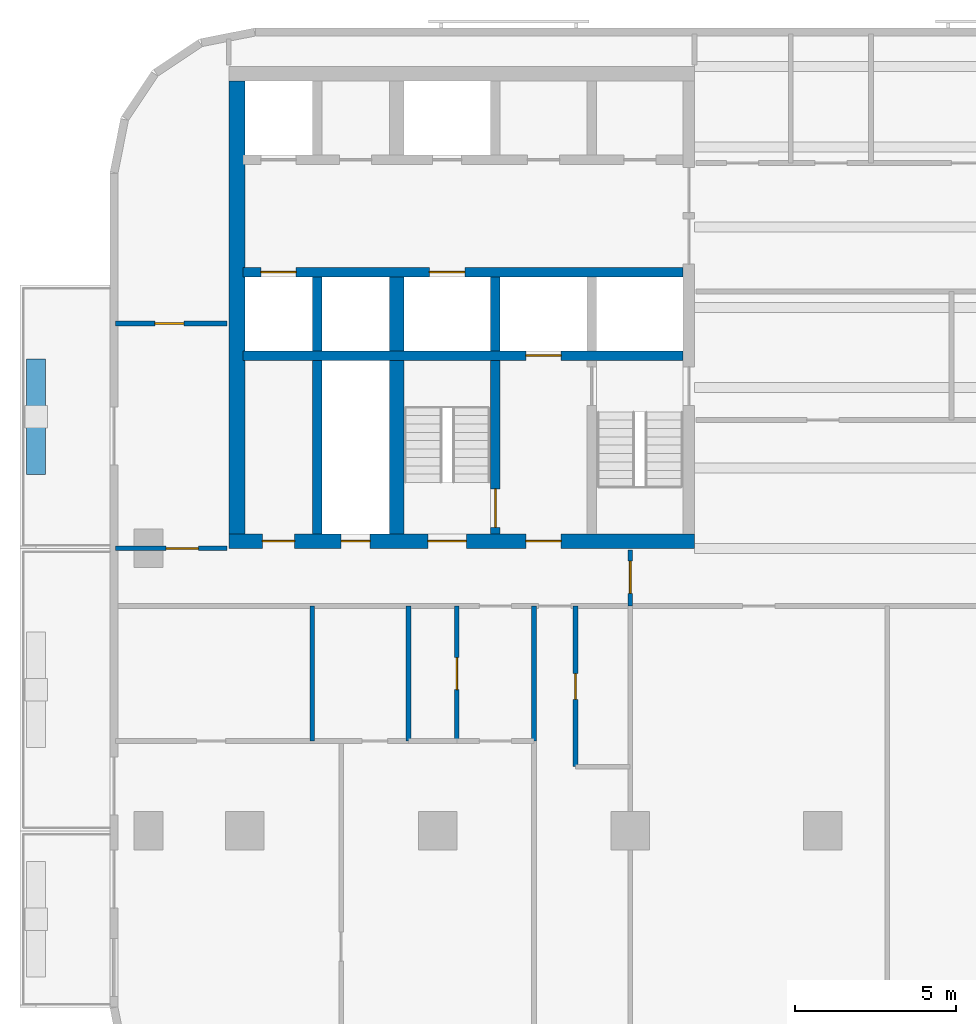
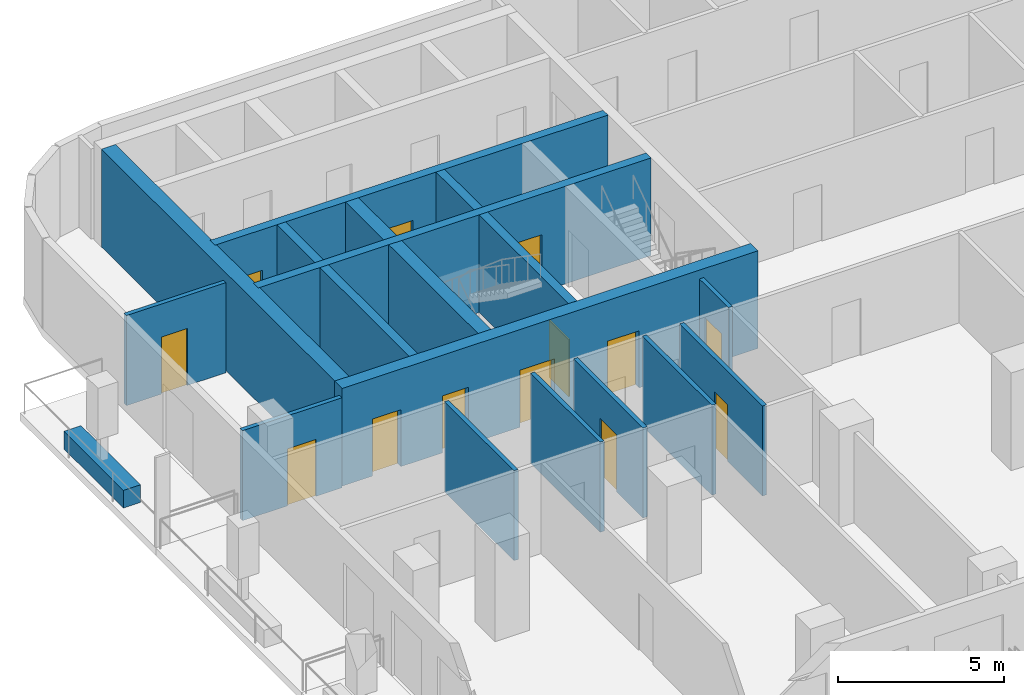
# One storey, part 3 of 11: 19 walls, 13 doors, 13 openings.
"""IFC4 building model written with IfcOpenShell, lengths in metres."""

from ifc_helpers import new_model, si_unit, direction, frame, frame_2d, origin, place, context, subcontext, project, spatial, rectangle, extrude, material, layer, layer_set, type_object, element, fill, save


model = new_model("IFC4")

# Units and contexts
model_context = context("Model", 3, precision=1e-05, world=origin(), true_north=direction((0.0, 1.0)))
body_context = subcontext(model_context, "Body", "Model", "MODEL_VIEW")
ifc_project = project(units=[si_unit("LENGTHUNIT", "METRE"), si_unit("AREAUNIT", "SQUARE_METRE"), si_unit("VOLUMEUNIT", "CUBIC_METRE"), si_unit("PLANEANGLEUNIT", "RADIAN"), si_unit("MASSUNIT", "GRAM", prefix="KILO")], contexts=[model_context])

# Site, building, storey
site_placement = place(None, origin())
site = spatial("IfcSite", under=ifc_project, at=site_placement, CompositionType="ELEMENT")
building_placement = place(site_placement, origin())
building = spatial("IfcBuilding", under=site, at=building_placement, Name="Torana Hotel and Residences", CompositionType="ELEMENT")
storey_placement = place(building_placement, frame((0.0, 0.0, 145.199951171875)))
storey = spatial("IfcBuildingStorey", under=building, at=storey_placement, Name="L37", CompositionType="ELEMENT", Elevation=145.199951171875)

# Wall, openings, doors
ifc_material_1 = material(Name="Concrete C70/85", Category="concrete")
ifc_layer_1 = layer(ifc_material_1, 0.300048828125)
ifc_layer_set_1 = layer_set([ifc_layer_1], Name="CORE WALL 300 C70/85")
wall_type_1 = type_object("IfcWallType", Name="CORE WALL 300 C70/85", PredefinedType="SHEAR", material=ifc_layer_set_1)
wall_1_placement = place(storey_placement, frame((-24.050048828125, -6.39990234375, 0.0), z_axis=(0.0, 0.0, 1.0), x_axis=(1.0, 0.0, 0.0)))
wall_1 = element("IfcWall", 1, at=wall_1_placement, inside=storey, type_object=wall_type_1, Name="Core wall W row-S", PredefinedType="SHEAR", context=body_context, shape_type="SweptSolid", body=[
    extrude(rectangle(XDim=13.699951171875, YDim=0.300048828125, at=frame_2d((6.85009765625, 0.0))), origin(), (0.0, 0.0, 1.0), 3.60009765625),
])
opening_1_placement = place(wall_1_placement, frame((0.550048828125, 0.0, 0.0)))
opening_1 = element("IfcOpeningElement", 2, at=opening_1_placement, cuts=wall_1, Name="Opening LD", PredefinedType="OPENING", context=body_context, shape_type="SweptSolid", body=[
    extrude(rectangle(XDim=1.10009765625, YDim=2.10009765625, at=frame_2d((0.550048828125, 1.050048828125))), frame((0.0, 0.159912109375, 0.0), z_axis=(0.0, -1.0, 0.0), x_axis=(1.0, 0.0, 0.0)), (0.0, 0.0, 1.0), 0.320068359375),
])
opening_2_placement = place(wall_1_placement, frame((5.800048828125, 0.0, 0.0)))
opening_2 = element("IfcOpeningElement", 3, at=opening_2_placement, cuts=wall_1, Name="Opening LD", PredefinedType="OPENING", context=body_context, shape_type="SweptSolid", body=[
    extrude(rectangle(XDim=1.10009765625, YDim=2.10009765625, at=frame_2d((0.550048828125, 1.050048828125))), frame((0.0, 0.159912109375, 0.0), z_axis=(0.0, -1.0, 0.0), x_axis=(1.0, 0.0, 0.0)), (0.0, 0.0, 1.0), 0.320068359375),
])
ifc_material_2 = material(Name="Stainless steel 316", Category="steel")
door_type_1 = type_object("IfcDoorType", Name="LIFT LANDING DOOR LD 1100x2100", OperationType="DOUBLE_DOOR_SLIDING", PredefinedType="USERDEFINED", material=ifc_material_2)
door_1_placement = place(opening_1_placement, origin())
door_1 = element("IfcDoor", 4, at=door_1_placement, inside=storey, type_object=door_type_1, Name="Lift landing door M2 L37", ObjectType="LIFT LANDING DOOR", OperationType="DOUBLE_DOOR_SLIDING", OverallHeight=2.10009765625, OverallWidth=1.10009765625, PredefinedType="USERDEFINED", context=body_context, shape_type="SweptSolid", body=[
    extrude(rectangle(XDim=1.10009765625, YDim=2.10009765625, at=frame_2d((0.550048828125, 1.050048828125))), frame((0.0, 0.02490234375, 0.0), z_axis=(0.0, -1.0, 0.0), x_axis=(1.0, 0.0, 0.0)), (0.0, 0.0, 1.0), 0.050048828125),
])
fill(opening_1, door_1)
door_2_placement = place(opening_2_placement, origin())
door_2 = element("IfcDoor", 5, at=door_2_placement, inside=storey, type_object=door_type_1, Name="Lift landing door SV1 L37", ObjectType="LIFT LANDING DOOR", OperationType="DOUBLE_DOOR_SLIDING", OverallHeight=2.10009765625, OverallWidth=1.10009765625, PredefinedType="USERDEFINED", context=body_context, shape_type="SweptSolid", body=[
    extrude(rectangle(XDim=1.10009765625, YDim=2.10009765625, at=frame_2d((0.550048828125, 1.050048828125))), frame((0.0, 0.02490234375, 0.0), z_axis=(0.0, -1.0, 0.0), x_axis=(1.0, 0.0, 0.0)), (0.0, 0.0, 1.0), 0.050048828125),
])
fill(opening_2, door_2)

# Wall, opening, door
wall_2_placement = place(storey_placement, frame((-24.050048828125, -9.0, 0.0), z_axis=(0.0, 0.0, 1.0), x_axis=(1.0, 0.0, 0.0)))
wall_2 = element("IfcWall", 6, at=wall_2_placement, inside=storey, type_object=wall_type_1, Name="Core wall W band", PredefinedType="SHEAR", context=body_context, shape_type="SweptSolid", body=[
    extrude(rectangle(XDim=13.699951171875, YDim=0.300048828125, at=frame_2d((6.85009765625, 0.0))), origin(), (0.0, 0.0, 1.0), 3.60009765625),
])
opening_3_placement = place(wall_2_placement, frame((8.800048828125, 0.0, 0.0)))
opening_3 = element("IfcOpeningElement", 7, at=opening_3_placement, cuts=wall_2, Name="Opening LD", PredefinedType="OPENING", context=body_context, shape_type="SweptSolid", body=[
    extrude(rectangle(XDim=1.10009765625, YDim=2.10009765625, at=frame_2d((0.550048828125, 1.050048828125))), frame((0.0, 0.159912109375, 0.0), z_axis=(0.0, -1.0, 0.0), x_axis=(1.0, 0.0, 0.0)), (0.0, 0.0, 1.0), 0.320068359375),
])
door_3_placement = place(opening_3_placement, origin())
door_3 = element("IfcDoor", 8, at=door_3_placement, inside=storey, type_object=door_type_1, Name="Lift landing door FF1 L37", ObjectType="LIFT LANDING DOOR", OperationType="DOUBLE_DOOR_SLIDING", OverallHeight=2.10009765625, OverallWidth=1.10009765625, PredefinedType="USERDEFINED", context=body_context, shape_type="SweptSolid", body=[
    extrude(rectangle(XDim=1.10009765625, YDim=2.10009765625, at=frame_2d((0.550048828125, 1.050048828125))), frame((0.0, 0.02490234375, 0.0), z_axis=(0.0, -1.0, 0.0), x_axis=(1.0, 0.0, 0.0)), (0.0, 0.0, 1.0), 0.050048828125),
])
fill(opening_3, door_3)

# Wall
wall_3_placement = place(storey_placement, frame((-16.199951171875, -8.85009765625, 0.0), z_axis=(0.0, 0.0, 1.0), x_axis=(0.0, 1.0, 0.0)))
element("IfcWall", 9, at=wall_3_placement, inside=storey, type_object=wall_type_1, Name="Core wall W x6.05-S", PredefinedType="SHEAR", context=body_context, shape_type="SweptSolid", body=[
    extrude(rectangle(XDim=2.300048828125, YDim=0.300048828125, at=frame_2d((1.14990234375, 0.0))), origin(), (0.0, 0.0, 1.0), 3.60009765625),
])

# Wall, opening, door
wall_4_placement = place(storey_placement, frame((-16.199951171875, -14.550048828125, 0.0), z_axis=(0.0, 0.0, 1.0), x_axis=(0.0, 1.0, 0.0)))
wall_4 = element("IfcWall", 10, at=wall_4_placement, inside=storey, type_object=wall_type_1, Name="Core wall W x6.05-band", PredefinedType="SHEAR", context=body_context, shape_type="SweptSolid", body=[
    extrude(rectangle(XDim=5.400146484375, YDim=0.300048828125, at=frame_2d((2.7001953125, 0.0))), origin(), (0.0, 0.0, 1.0), 3.60009765625),
])
opening_4_placement = place(wall_4_placement, frame((0.199951171875, 0.0, 0.0)))
opening_4 = element("IfcOpeningElement", 11, at=opening_4_placement, cuts=wall_4, Name="Opening L37-13", PredefinedType="OPENING", context=body_context, shape_type="SweptSolid", body=[
    extrude(rectangle(XDim=1.199951171875, YDim=2.10009765625, at=frame_2d((0.60009765625, 1.050048828125))), frame((0.0, 0.159912109375, 0.0), z_axis=(0.0, -1.0, 0.0), x_axis=(1.0, 0.0, 0.0)), (0.0, 0.0, 1.0), 0.320068359375),
])
ifc_material_3 = material(Name="Steel S235", Category="steel")
door_type_2 = type_object("IfcDoorType", Name="STAIR FIRE DOOR D3 1200x2100", OperationType="SINGLE_SWING_LEFT", PredefinedType="DOOR", material=ifc_material_3)
door_4_placement = place(opening_4_placement, origin())
door_4 = element("IfcDoor", 12, at=door_4_placement, inside=storey, type_object=door_type_2, Name="Stair-B-lobby door L37", OperationType="SINGLE_SWING_RIGHT", OverallHeight=2.10009765625, OverallWidth=1.199951171875, PredefinedType="DOOR", context=body_context, shape_type="SweptSolid", body=[
    extrude(rectangle(XDim=1.199951171875, YDim=2.10009765625, at=frame_2d((0.60009765625, 1.050048828125))), frame((0.0, 0.02490234375, 0.0), z_axis=(0.0, -1.0, 0.0), x_axis=(1.0, 0.0, 0.0)), (0.0, 0.0, 1.0), 0.050048828125),
])
fill(opening_4, door_4)

# Walls
wall_5_placement = place(storey_placement, frame((-21.75, -8.85009765625, 0.0), z_axis=(0.0, 0.0, 1.0), x_axis=(0.0, 1.0, 0.0)))
element("IfcWall", 13, at=wall_5_placement, inside=storey, type_object=wall_type_1, Name="Core wall W mm-S", PredefinedType="SHEAR", context=body_context, shape_type="SweptSolid", body=[
    extrude(rectangle(XDim=2.300048828125, YDim=0.300048828125, at=frame_2d((1.14990234375, 0.0))), origin(), (0.0, 0.0, 1.0), 3.60009765625),
])
wall_6_placement = place(storey_placement, frame((-21.75, -14.550048828125, 0.0), z_axis=(0.0, 0.0, 1.0), x_axis=(0.0, 1.0, 0.0)))
element("IfcWall", 14, at=wall_6_placement, inside=storey, type_object=wall_type_1, Name="Core wall W mm-band", PredefinedType="SHEAR", context=body_context, shape_type="SweptSolid", body=[
    extrude(rectangle(XDim=5.400146484375, YDim=0.300048828125, at=frame_2d((2.7001953125, 0.0))), origin(), (0.0, 0.0, 1.0), 3.60009765625),
])

# Wall, openings, doors
ifc_material_4 = material(Name="Concrete C70/85", Category="concrete")
ifc_layer_2 = layer(ifc_material_4, 0.449951171875)
ifc_layer_set_2 = layer_set([ifc_layer_2], Name="CORE WALL 450 C70/85")
wall_type_2 = type_object("IfcWallType", Name="CORE WALL 450 C70/85", PredefinedType="SHEAR", material=ifc_layer_set_2)
wall_7_placement = place(storey_placement, frame((-24.5, -14.77490234375, 0.0), z_axis=(0.0, 0.0, 1.0), x_axis=(1.0, 0.0, 0.0)))
wall_7 = element("IfcWall", 15, at=wall_7_placement, inside=storey, type_object=wall_type_2, Name="Core wall W front", PredefinedType="SHEAR", context=body_context, shape_type="SweptSolid", body=[
    extrude(rectangle(XDim=14.5, YDim=0.449951171875, at=frame_2d((7.25, 0.0))), origin(), (0.0, 0.0, 1.0), 3.60009765625),
])
opening_5_placement = place(wall_7_placement, frame((6.199951171875, 0.0, 0.0)))
opening_5 = element("IfcOpeningElement", 16, at=opening_5_placement, cuts=wall_7, Name="Opening L37-04", PredefinedType="OPENING", context=body_context, shape_type="SweptSolid", body=[
    extrude(rectangle(XDim=1.199951171875, YDim=2.10009765625, at=frame_2d((0.60009765625, 1.050048828125))), frame((0.0, 0.23486328125, 0.0), z_axis=(0.0, -1.0, 0.0), x_axis=(1.0, 0.0, 0.0)), (0.0, 0.0, 1.0), 0.469970703125),
])
opening_6_placement = place(wall_7_placement, frame((9.25, 0.0, 0.0)))
opening_6 = element("IfcOpeningElement", 17, at=opening_6_placement, cuts=wall_7, Name="Opening L37-05", PredefinedType="OPENING", context=body_context, shape_type="SweptSolid", body=[
    extrude(rectangle(XDim=1.10009765625, YDim=2.10009765625, at=frame_2d((0.550048828125, 1.050048828125))), frame((0.0, 0.23486328125, 0.0), z_axis=(0.0, -1.0, 0.0), x_axis=(1.0, 0.0, 0.0)), (0.0, 0.0, 1.0), 0.469970703125),
])
opening_7_placement = place(wall_7_placement, frame((3.5, 0.0, 0.0)))
opening_7 = element("IfcOpeningElement", 18, at=opening_7_placement, cuts=wall_7, Name="Opening L37-06", PredefinedType="OPENING", context=body_context, shape_type="SweptSolid", body=[
    extrude(rectangle(XDim=0.89990234375, YDim=2.10009765625, at=frame_2d((0.449951171875, 1.050048828125))), frame((0.0, 0.23486328125, 0.0), z_axis=(0.0, -1.0, 0.0), x_axis=(1.0, 0.0, 0.0)), (0.0, 0.0, 1.0), 0.469970703125),
])
opening_8_placement = place(wall_7_placement, frame((1.050048828125, 0.0, 0.0)))
opening_8 = element("IfcOpeningElement", 19, at=opening_8_placement, cuts=wall_7, Name="Opening L37-07", PredefinedType="OPENING", context=body_context, shape_type="SweptSolid", body=[
    extrude(rectangle(XDim=1.0, YDim=2.10009765625, at=frame_2d((0.5, 1.050048828125))), frame((0.0, 0.23486328125, 0.0), z_axis=(0.0, -1.0, 0.0), x_axis=(1.0, 0.0, 0.0)), (0.0, 0.0, 1.0), 0.469970703125),
])
ifc_material_5 = material(Name="Steel S235", Category="steel")
door_type_3 = type_object("IfcDoorType", Name="CORE ROOM FIRE DOOR D14 1000x2100", OperationType="SINGLE_SWING_LEFT", PredefinedType="DOOR", material=ifc_material_5)
door_5_placement = place(opening_8_placement, origin())
door_5 = element("IfcDoor", 20, at=door_5_placement, inside=storey, type_object=door_type_3, Name="M-Room door L37", OperationType="SINGLE_SWING_RIGHT", OverallHeight=2.10009765625, OverallWidth=1.0, PredefinedType="DOOR", context=body_context, shape_type="SweptSolid", body=[
    extrude(rectangle(XDim=1.0, YDim=2.10009765625, at=frame_2d((0.5, 1.050048828125))), frame((0.0, 0.02490234375, 0.0), z_axis=(0.0, -1.0, 0.0), x_axis=(1.0, 0.0, 0.0)), (0.0, 0.0, 1.0), 0.050048828125),
])
fill(opening_8, door_5)
ifc_material_6 = material(Name="Steel S235", Category="steel")
door_type_4 = type_object("IfcDoorType", Name="FIRE-FIGHTING LOBBY DOOR D8 1100x2100", OperationType="SINGLE_SWING_LEFT", PredefinedType="DOOR", material=ifc_material_6)
door_6_placement = place(opening_6_placement, origin())
door_6 = element("IfcDoor", 21, at=door_6_placement, inside=storey, type_object=door_type_4, Name="FF-lobby door L37", OperationType="SINGLE_SWING_RIGHT", OverallHeight=2.10009765625, OverallWidth=1.10009765625, PredefinedType="DOOR", context=body_context, shape_type="SweptSolid", body=[
    extrude(rectangle(XDim=1.10009765625, YDim=2.10009765625, at=frame_2d((0.550048828125, 1.050048828125))), frame((0.0, 0.02490234375, 0.0), z_axis=(0.0, -1.0, 0.0), x_axis=(1.0, 0.0, 0.0)), (0.0, 0.0, 1.0), 0.050048828125),
])
fill(opening_6, door_6)
ifc_material_7 = material(Name="Steel S235", Category="steel")
door_type_5 = type_object("IfcDoorType", Name="RISER ACCESS DOOR D5 900x2100", OperationType="SINGLE_SWING_LEFT", PredefinedType="DOOR", material=ifc_material_7)
door_7_placement = place(opening_7_placement, origin())
door_7 = element("IfcDoor", 22, at=door_7_placement, inside=storey, type_object=door_type_5, Name="M-Riser door L37", OperationType="SINGLE_SWING_RIGHT", OverallHeight=2.10009765625, OverallWidth=0.89990234375, PredefinedType="DOOR", context=body_context, shape_type="SweptSolid", body=[
    extrude(rectangle(XDim=0.89990234375, YDim=2.10009765625, at=frame_2d((0.449951171875, 1.050048828125))), frame((0.0, 0.02490234375, 0.0), z_axis=(0.0, -1.0, 0.0), x_axis=(1.0, 0.0, 0.0)), (0.0, 0.0, 1.0), 0.050048828125),
])
fill(opening_7, door_7)
door_8_placement = place(opening_5_placement, origin())
door_8 = element("IfcDoor", 23, at=door_8_placement, inside=storey, type_object=door_type_2, Name="Stair-B door L37", OperationType="SINGLE_SWING_RIGHT", OverallHeight=2.10009765625, OverallWidth=1.199951171875, PredefinedType="DOOR", context=body_context, shape_type="SweptSolid", body=[
    extrude(rectangle(XDim=1.199951171875, YDim=2.10009765625, at=frame_2d((0.60009765625, 1.050048828125))), frame((0.0, 0.02490234375, 0.0), z_axis=(0.0, -1.0, 0.0), x_axis=(1.0, 0.0, 0.0)), (0.0, 0.0, 1.0), 0.050048828125),
])
fill(opening_5, door_8)

# Walls
wall_8_placement = place(storey_placement, frame((-19.27490234375, -8.85009765625, 0.0), z_axis=(0.0, 0.0, 1.0), x_axis=(0.0, 1.0, 0.0)))
element("IfcWall", 24, at=wall_8_placement, inside=storey, type_object=wall_type_2, Name="Core wall W hm-S", PredefinedType="SHEAR", context=body_context, shape_type="SweptSolid", body=[
    extrude(rectangle(XDim=2.300048828125, YDim=0.449951171875, at=frame_2d((1.14990234375, 0.0))), origin(), (0.0, 0.0, 1.0), 3.60009765625),
])
wall_9_placement = place(storey_placement, frame((-19.27490234375, -14.550048828125, 0.0), z_axis=(0.0, 0.0, 1.0), x_axis=(0.0, 1.0, 0.0)))
element("IfcWall", 25, at=wall_9_placement, inside=storey, type_object=wall_type_2, Name="Core wall W hm-band", PredefinedType="SHEAR", context=body_context, shape_type="SweptSolid", body=[
    extrude(rectangle(XDim=5.400146484375, YDim=0.449951171875, at=frame_2d((2.7001953125, 0.0))), origin(), (0.0, 0.0, 1.0), 3.60009765625),
])
ifc_material_8 = material(Name="Concrete C70/85", Category="concrete")
ifc_layer_3 = layer(ifc_material_8, 0.5)
ifc_layer_set_3 = layer_set([ifc_layer_3], Name="CORE WALL 500 C70/85")
wall_type_3 = type_object("IfcWallType", Name="CORE WALL 500 C70/85", PredefinedType="SHEAR", material=ifc_layer_set_3)
wall_10_placement = place(storey_placement, frame((-24.25, -14.550048828125, 0.0), z_axis=(0.0, 0.0, 1.0), x_axis=(0.0, 1.0, 0.0)))
element("IfcWall", 26, at=wall_10_placement, inside=storey, type_object=wall_type_3, Name="Core wall W outer", PredefinedType="SHEAR", context=body_context, shape_type="SweptSolid", body=[
    extrude(rectangle(XDim=14.10009765625, YDim=0.5, at=frame_2d((7.050048828125, 0.0))), origin(), (0.0, 0.0, 1.0), 3.60009765625),
])

# Wall, opening, door
ifc_material_9 = material(Name="Gypsum plaster")
ifc_layer_4 = layer(ifc_material_9, 0.014892578125, Name="Plaster", Category="finish")
ifc_material_10 = material(Name="Concrete blockwork", Category="masonry")
ifc_layer_5 = layer(ifc_material_10, 0.1201171875, Name="Blockwork", Category="structure")
ifc_layer_6 = layer(ifc_material_9, 0.014892578125, Name="Plaster", Category="finish")
ifc_layer_set_4 = layer_set([ifc_layer_4, ifc_layer_5, ifc_layer_6], Name="FIRE PARTITION 150 BLOCKWORK")
wall_type_4 = type_object("IfcWallType", Name="FIRE PARTITION 150 BLOCKWORK", PredefinedType="PARTITIONING", material=ifc_layer_set_4)
wall_11_placement = place(storey_placement, frame((-12.0, -16.800048828125, 0.0), z_axis=(0.0, 0.0, 1.0), x_axis=(0.0, 1.0, 0.0)))
wall_11 = element("IfcWall", 27, at=wall_11_placement, inside=storey, type_object=wall_type_4, Name="Partition L37", PredefinedType="PARTITIONING", context=body_context, shape_type="SweptSolid", body=[
    extrude(rectangle(XDim=1.75, YDim=0.14990234375, at=frame_2d((0.875, 0.0))), origin(), (0.0, 0.0, 1.0), 3.320068359375),
])
opening_9_placement = place(wall_11_placement, frame((0.39990234375, 0.0, 0.0)))
opening_9 = element("IfcOpeningElement", 28, at=opening_9_placement, cuts=wall_11, Name="Opening L37-27", PredefinedType="OPENING", context=body_context, shape_type="SweptSolid", body=[
    extrude(rectangle(XDim=1.0, YDim=2.10009765625, at=frame_2d((0.5, 1.050048828125))), frame((0.0, 0.0849609375, 0.0), z_axis=(0.0, -1.0, 0.0), x_axis=(1.0, 0.0, 0.0)), (0.0, 0.0, 1.0), 0.169921875),
])
ifc_material_11 = material(Name="Steel S235", Category="steel")
door_type_6 = type_object("IfcDoorType", Name="ENTRY FIRE DOOR D6 1000x2100", OperationType="SINGLE_SWING_LEFT", PredefinedType="DOOR", material=ifc_material_11)
door_9_placement = place(opening_9_placement, origin())
door_9 = element("IfcDoor", 29, at=door_9_placement, inside=storey, type_object=door_type_6, Name="Door L37", OperationType="SINGLE_SWING_RIGHT", OverallHeight=2.10009765625, OverallWidth=1.0, PredefinedType="DOOR", context=body_context, shape_type="SweptSolid", body=[
    extrude(rectangle(XDim=1.0, YDim=2.10009765625, at=frame_2d((0.5, 1.050048828125))), frame((0.0, 0.02490234375, 0.0), z_axis=(0.0, -1.0, 0.0), x_axis=(1.0, 0.0, 0.0)), (0.0, 0.0, 1.0), 0.050048828125),
])
fill(opening_9, door_9)

# Wall
wall_12_placement = place(storey_placement, frame((-15.0, -21.0, 0.0), z_axis=(0.0, 0.0, 1.0), x_axis=(0.0, 1.0, 0.0)))
element("IfcWall", 30, at=wall_12_placement, inside=storey, type_object=wall_type_4, Name="Partition L37", PredefinedType="PARTITIONING", context=body_context, shape_type="SweptSolid", body=[
    extrude(rectangle(XDim=4.199951171875, YDim=0.14990234375, at=frame_2d((2.10009765625, 0.0))), origin(), (0.0, 0.0, 1.0), 3.320068359375),
])

# Wall, opening, door
wall_13_placement = place(storey_placement, frame((-17.39990234375, -21.0, 0.0), z_axis=(0.0, 0.0, 1.0), x_axis=(0.0, 1.0, 0.0)))
wall_13 = element("IfcWall", 31, at=wall_13_placement, inside=storey, type_object=wall_type_4, Name="Partition L37", PredefinedType="PARTITIONING", context=body_context, shape_type="SweptSolid", body=[
    extrude(rectangle(XDim=4.199951171875, YDim=0.14990234375, at=frame_2d((2.10009765625, 0.0))), origin(), (0.0, 0.0, 1.0), 3.320068359375),
])
opening_10_placement = place(wall_13_placement, frame((1.60009765625, 0.0, 0.0)))
opening_10 = element("IfcOpeningElement", 32, at=opening_10_placement, cuts=wall_13, Name="Opening L37-48", PredefinedType="OPENING", context=body_context, shape_type="SweptSolid", body=[
    extrude(rectangle(XDim=1.0, YDim=2.10009765625, at=frame_2d((0.5, 1.050048828125))), frame((0.0, 0.0849609375, 0.0), z_axis=(0.0, -1.0, 0.0), x_axis=(1.0, 0.0, 0.0)), (0.0, 0.0, 1.0), 0.169921875),
])
door_10_placement = place(opening_10_placement, origin())
door_10 = element("IfcDoor", 33, at=door_10_placement, inside=storey, type_object=door_type_6, Name="Door L37", OperationType="SINGLE_SWING_RIGHT", OverallHeight=2.10009765625, OverallWidth=1.0, PredefinedType="DOOR", context=body_context, shape_type="SweptSolid", body=[
    extrude(rectangle(XDim=1.0, YDim=2.10009765625, at=frame_2d((0.5, 1.050048828125))), frame((0.0, 0.02490234375, 0.0), z_axis=(0.0, -1.0, 0.0), x_axis=(1.0, 0.0, 0.0)), (0.0, 0.0, 1.0), 0.050048828125),
])
fill(opening_10, door_10)

wall_14_placement = place(storey_placement, frame((-28.02001953125, -15.0, 0.0), z_axis=(0.0, 0.0, 1.0), x_axis=(1.0, 0.0, 0.0)))
wall_14 = element("IfcWall", 34, at=wall_14_placement, inside=storey, type_object=wall_type_4, Name="Partition L37", PredefinedType="PARTITIONING", context=body_context, shape_type="SweptSolid", body=[
    extrude(rectangle(XDim=3.469970703125, YDim=0.14990234375, at=frame_2d((1.73486328125, 0.0))), origin(), (0.0, 0.0, 1.0), 3.320068359375),
])
opening_11_placement = place(wall_14_placement, frame((1.570068359375, 0.0, 0.0)))
opening_11 = element("IfcOpeningElement", 35, at=opening_11_placement, cuts=wall_14, Name="Opening L37-30", PredefinedType="OPENING", context=body_context, shape_type="SweptSolid", body=[
    extrude(rectangle(XDim=1.0, YDim=2.10009765625, at=frame_2d((0.5, 1.050048828125))), frame((0.0, 0.0849609375, 0.0), z_axis=(0.0, -1.0, 0.0), x_axis=(1.0, 0.0, 0.0)), (0.0, 0.0, 1.0), 0.169921875),
])
door_11_placement = place(opening_11_placement, origin())
door_11 = element("IfcDoor", 36, at=door_11_placement, inside=storey, type_object=door_type_3, Name="Door L37", OperationType="SINGLE_SWING_RIGHT", OverallHeight=2.10009765625, OverallWidth=1.0, PredefinedType="DOOR", context=body_context, shape_type="SweptSolid", body=[
    extrude(rectangle(XDim=1.0, YDim=2.10009765625, at=frame_2d((0.5, 1.050048828125))), frame((0.0, 0.02490234375, 0.0), z_axis=(0.0, -1.0, 0.0), x_axis=(1.0, 0.0, 0.0)), (0.0, 0.0, 1.0), 0.050048828125),
])
fill(opening_11, door_11)

ifc_material_12 = material(Name="Gypsum plasterboard")
ifc_layer_7 = layer(ifc_material_12, 0.012451171875, Name="Plasterboard", Category="finish")
ifc_layer_8 = layer(ifc_material_12, 0.012451171875, Name="Plasterboard", Category="finish")
ifc_material_13 = material(Name="Steel S280GD", Category="steel")
ifc_layer_9 = layer(ifc_material_13, 0.10009765625, Name="Steel studs with mineral wool", Category="insulation")
ifc_layer_10 = layer(ifc_material_12, 0.012451171875, Name="Plasterboard", Category="finish")
ifc_layer_11 = layer(ifc_material_12, 0.012451171875, Name="Plasterboard", Category="finish")
ifc_layer_set_5 = layer_set([ifc_layer_7, ifc_layer_8, ifc_layer_9, ifc_layer_10, ifc_layer_11], Name="PARTITION 150 PLASTERBOARD")
wall_type_5 = type_object("IfcWallType", Name="PARTITION 150 PLASTERBOARD", PredefinedType="PARTITIONING", material=ifc_layer_set_5)
wall_15_placement = place(storey_placement, frame((-13.699951171875, -21.800048828125, 0.0), z_axis=(0.0, 0.0, 1.0), x_axis=(0.0, 1.0, 0.0)))
wall_15 = element("IfcWall", 37, at=wall_15_placement, inside=storey, type_object=wall_type_5, Name="Partition L37", PredefinedType="PARTITIONING", context=body_context, shape_type="SweptSolid", body=[
    extrude(rectangle(XDim=5.0, YDim=0.14990234375, at=frame_2d((2.5, 0.0))), origin(), (0.0, 0.0, 1.0), 3.320068359375),
])
opening_12_placement = place(wall_15_placement, frame((2.10009765625, 0.0, 0.0)))
opening_12 = element("IfcOpeningElement", 38, at=opening_12_placement, cuts=wall_15, Name="Opening L37-46", PredefinedType="OPENING", context=body_context, shape_type="SweptSolid", body=[
    extrude(rectangle(XDim=0.800048828125, YDim=2.10009765625, at=frame_2d((0.39990234375, 1.050048828125))), frame((0.0, 0.0849609375, 0.0), z_axis=(0.0, -1.0, 0.0), x_axis=(1.0, 0.0, 0.0)), (0.0, 0.0, 1.0), 0.169921875),
])
ifc_material_14 = material(Name="Timber door, painted", Category="wood")
door_type_7 = type_object("IfcDoorType", Name="BATH DOOR D13 800x2100", OperationType="SINGLE_SWING_LEFT", PredefinedType="DOOR", material=ifc_material_14)
door_12_placement = place(opening_12_placement, origin())
door_12 = element("IfcDoor", 39, at=door_12_placement, inside=storey, type_object=door_type_7, Name="Door L37", OperationType="SINGLE_SWING_RIGHT", OverallHeight=2.10009765625, OverallWidth=0.800048828125, PredefinedType="DOOR", context=body_context, shape_type="SweptSolid", body=[
    extrude(rectangle(XDim=0.800048828125, YDim=2.10009765625, at=frame_2d((0.39990234375, 1.050048828125))), frame((0.0, 0.02490234375, 0.0), z_axis=(0.0, -1.0, 0.0), x_axis=(1.0, 0.0, 0.0)), (0.0, 0.0, 1.0), 0.050048828125),
])
fill(opening_12, door_12)

# Wall
wall_16_placement = place(storey_placement, frame((-21.89990234375, -21.0, 0.0), z_axis=(0.0, 0.0, 1.0), x_axis=(0.0, 1.0, 0.0)))
element("IfcWall", 40, at=wall_16_placement, inside=storey, type_object=wall_type_5, Name="Partition L37", PredefinedType="PARTITIONING", context=body_context, shape_type="SweptSolid", body=[
    extrude(rectangle(XDim=4.199951171875, YDim=0.14990234375, at=frame_2d((2.10009765625, 0.0))), origin(), (0.0, 0.0, 1.0), 3.320068359375),
])

# Wall, opening, door
wall_17_placement = place(storey_placement, frame((-28.02001953125, -8.0, 0.0), z_axis=(0.0, 0.0, 1.0), x_axis=(1.0, 0.0, 0.0)))
wall_17 = element("IfcWall", 41, at=wall_17_placement, inside=storey, type_object=wall_type_5, Name="Partition L37", PredefinedType="PARTITIONING", context=body_context, shape_type="SweptSolid", body=[
    extrude(rectangle(XDim=3.469970703125, YDim=0.14990234375, at=frame_2d((1.73486328125, 0.0))), origin(), (0.0, 0.0, 1.0), 3.320068359375),
])
opening_13_placement = place(wall_17_placement, frame((1.219970703125, 0.0, 0.0)))
opening_13 = element("IfcOpeningElement", 42, at=opening_13_placement, cuts=wall_17, Name="Opening L37-58", PredefinedType="OPENING", context=body_context, shape_type="SweptSolid", body=[
    extrude(rectangle(XDim=0.89990234375, YDim=2.10009765625, at=frame_2d((0.449951171875, 1.050048828125))), frame((0.0, 0.0849609375, 0.0), z_axis=(0.0, -1.0, 0.0), x_axis=(1.0, 0.0, 0.0)), (0.0, 0.0, 1.0), 0.169921875),
])
ifc_material_15 = material(Name="Timber door, oiled ash", Category="wood")
door_type_8 = type_object("IfcDoorType", Name="ROOM DOOR D7 900x2100", OperationType="SINGLE_SWING_LEFT", PredefinedType="DOOR", material=ifc_material_15)
door_13_placement = place(opening_13_placement, origin())
door_13 = element("IfcDoor", 43, at=door_13_placement, inside=storey, type_object=door_type_8, Name="Door L37", OperationType="SINGLE_SWING_RIGHT", OverallHeight=2.10009765625, OverallWidth=0.89990234375, PredefinedType="DOOR", context=body_context, shape_type="SweptSolid", body=[
    extrude(rectangle(XDim=0.89990234375, YDim=2.10009765625, at=frame_2d((0.449951171875, 1.050048828125))), frame((0.0, 0.02490234375, 0.0), z_axis=(0.0, -1.0, 0.0), x_axis=(1.0, 0.0, 0.0)), (0.0, 0.0, 1.0), 0.050048828125),
])
fill(opening_13, door_13)

# Walls
ifc_material_16 = material(Name="Concrete C40/50 precast", Category="concrete")
ifc_layer_12 = layer(ifc_material_16, 0.10009765625, Name="Planter shell", Category="structure")
ifc_material_17 = material(Name="Root resistant membrane")
ifc_layer_13 = layer(ifc_material_17, 0.00390625, Name="Waterproofing membrane", Category="membrane")
ifc_material_18 = material(Name="Drainage board with filter fleece")
ifc_layer_14 = layer(ifc_material_18, 0.02001953125, Name="Drainage board", Category="drainage")
ifc_material_19 = material(Name="Growing medium")
ifc_layer_15 = layer(ifc_material_19, 0.47607421875, Name="Planting substrate", Category="soil")
ifc_layer_set_6 = layer_set([ifc_layer_12, ifc_layer_13, ifc_layer_14, ifc_layer_15], Name="PL1 BALCONY PLANTER 600")
wall_type_6 = type_object("IfcWallType", Name="PL1 BALCONY PLANTER 600", PredefinedType="USERDEFINED", material=ifc_layer_set_6)
wall_18_placement = place(storey_placement, frame((-30.5, -12.699951171875, 0.0), z_axis=(0.0, 0.0, 1.0), x_axis=(0.0, 1.0, 0.0)))
element("IfcWall", 44, at=wall_18_placement, inside=storey, type_object=wall_type_6, Name="Planter 11", ObjectType="PLANTER", PredefinedType="USERDEFINED", context=body_context, shape_type="SweptSolid", body=[
    extrude(rectangle(XDim=3.599853515625, YDim=0.60009765625, at=frame_2d((1.7998046875, 0.0))), origin(), (0.0, 0.0, 1.0), 0.650146484375),
])
ifc_material_20 = material(Name="Ceramic tile on adhesive")
ifc_layer_16 = layer(ifc_material_20, 0.010009765625, Name="Wall tile", Category="finish")
ifc_material_21 = material(Name="Cement render")
ifc_layer_17 = layer(ifc_material_21, 0.010009765625, Name="Render", Category="finish")
ifc_layer_18 = layer(ifc_material_10, 0.110107421875, Name="Blockwork", Category="structure")
ifc_layer_19 = layer(ifc_material_21, 0.010009765625, Name="Render", Category="finish")
ifc_layer_20 = layer(ifc_material_20, 0.010009765625, Name="Wall tile", Category="finish")
ifc_layer_set_7 = layer_set([ifc_layer_16, ifc_layer_17, ifc_layer_18, ifc_layer_19, ifc_layer_20], Name="WC PARTITION 150")
wall_type_7 = type_object("IfcWallType", Name="WC PARTITION 150", PredefinedType="PLUMBINGWALL", material=ifc_layer_set_7)
wall_19_placement = place(storey_placement, frame((-18.89990234375, -21.0, 0.0), z_axis=(0.0, 0.0, 1.0), x_axis=(0.0, 1.0, 0.0)))
element("IfcWall", 45, at=wall_19_placement, inside=storey, type_object=wall_type_7, Name="Partition L37", PredefinedType="PLUMBINGWALL", context=body_context, shape_type="SweptSolid", body=[
    extrude(rectangle(XDim=4.199951171875, YDim=0.14990234375, at=frame_2d((2.10009765625, 0.0))), origin(), (0.0, 0.0, 1.0), 3.320068359375),
])

save(model, "model.ifc")
